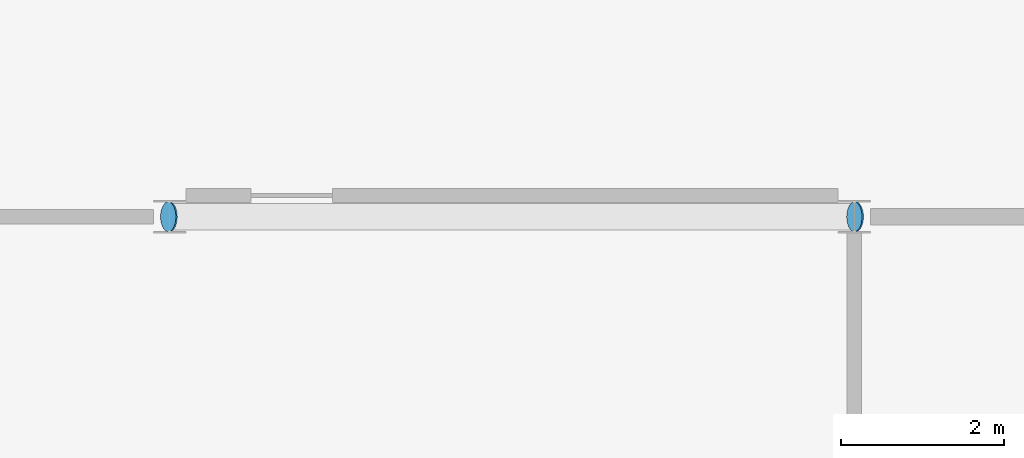
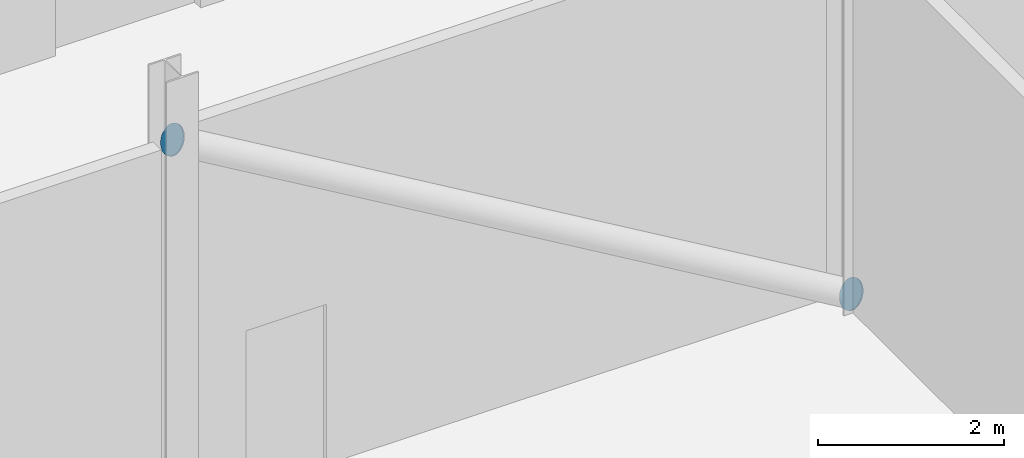
# One storey, part 84 of 108: 2 discrete accessories.
"""IFC4 building model written with IfcOpenShell, lengths in metres."""

from ifc_helpers import new_model, si_unit, direction, frame, origin, origin_2d, place, context, subcontext, project, spatial, circle, extrude, material, layer, layer_set, type_object, element, save


model = new_model("IFC4")

# Units and contexts
model_context = context("Model", 3, precision=1e-05, world=origin(), true_north=direction((0.0, 1.0)))
body_context = subcontext(model_context, "Body", "Model", "MODEL_VIEW")
ifc_project = project(units=[si_unit("LENGTHUNIT", "METRE"), si_unit("AREAUNIT", "SQUARE_METRE"), si_unit("VOLUMEUNIT", "CUBIC_METRE"), si_unit("PLANEANGLEUNIT", "RADIAN"), si_unit("MASSUNIT", "GRAM", prefix="KILO")], contexts=[model_context])

# Site, building, storey
site_placement = place(None, origin())
site = spatial("IfcSite", under=ifc_project, at=site_placement, CompositionType="ELEMENT")
building_placement = place(site_placement, origin())
building = spatial("IfcBuilding", under=site, at=building_placement, Name="Cresset Court Congress Hotel", CompositionType="ELEMENT")
storey_placement = place(building_placement, origin())
storey = spatial("IfcBuildingStorey", under=building, at=storey_placement, Name="L00", CompositionType="ELEMENT", Elevation=0.0)

# Discrete accessories
ifc_material = material(Name="Structural steel Q355B", Category="steel")
ifc_layer = layer(ifc_material, 0.02001953125)
ifc_layer_set = layer_set([ifc_layer], Name="Brace end gusset 325x20")
discrete_accessory_type = type_object("IfcDiscreteAccessoryType", Name="Brace end gusset 325x20", PredefinedType="BRACKET", material=ifc_layer_set)
for number, where, z_axis, x_axis, name in (
    (1, (134.39990234375, 8.39990234375, 5.06005859375), (-0.857492925713, 0.0, 0.514495755428), (0.0, -1.0, 0.0), "Brace end gusset L00 17-1"),
    (2, (142.800048828125, 8.39990234375, 0.10009765625), (0.857492925713, 0.0, -0.514495755428), (0.0, 1.0, 0.0), "Brace end gusset L00 17-2"),
):
    element("IfcDiscreteAccessory", number, at=place(storey_placement, frame(where, z_axis=z_axis, x_axis=x_axis)), inside=storey, type_object=discrete_accessory_type, Name=name, PredefinedType="BRACKET", context=body_context, shape_type="SweptSolid", body=[
        extrude(circle(Radius=0.1826171875, at=origin_2d()), origin(), (0.0, 0.0, 1.0), 0.02001953125),
    ])

save(model, "model.ifc")
